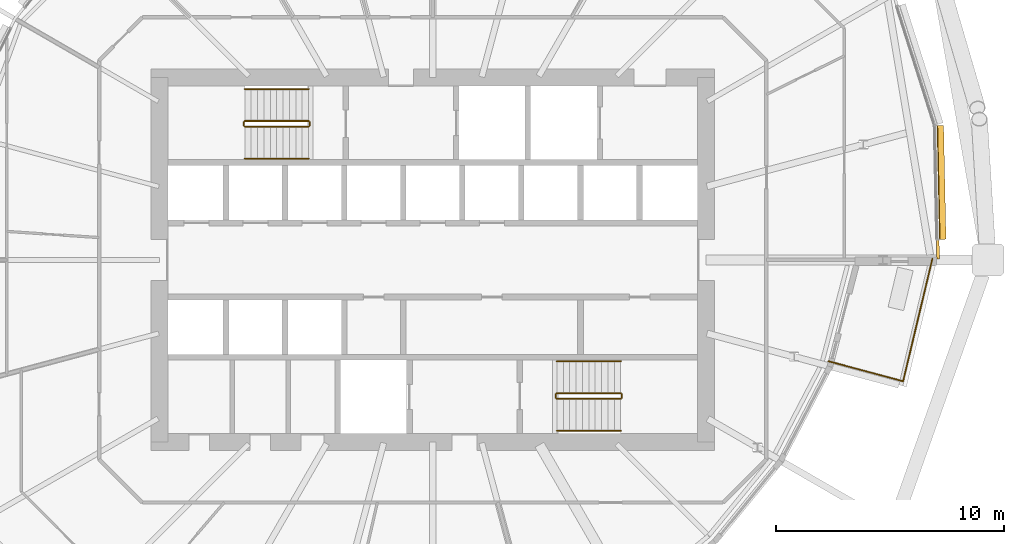
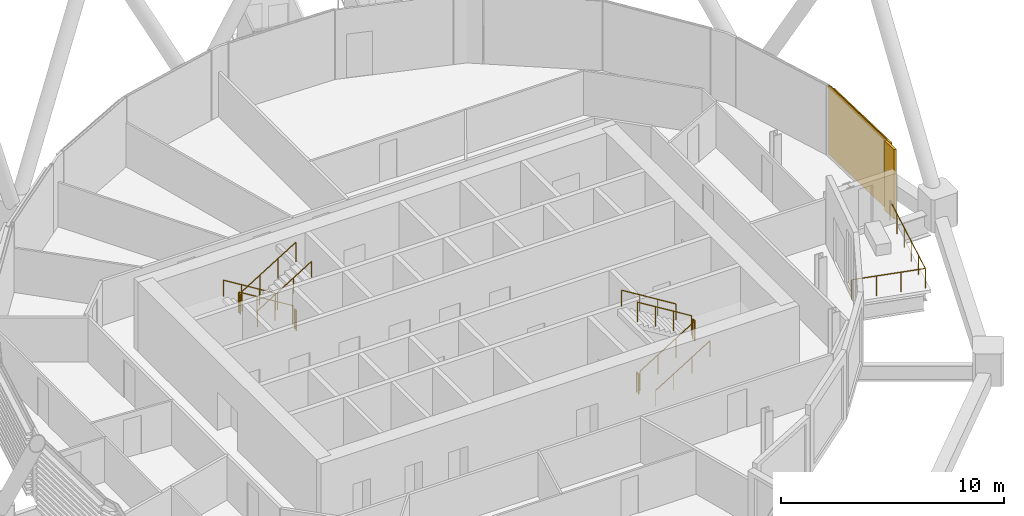
# One storey, part 36 of 38: 13 railings, 2 coverings.
"""IFC4 building model written with IfcOpenShell, lengths in metres."""

from ifc_helpers import new_model, si_unit, direction, frame, origin, origin_2d, place, context, subcontext, project, spatial, polyline, circle, outline, extrude, material, layer, layer_set, material_profile, profile_set, type_object, element, save


model = new_model("IFC4")

# Units and contexts
model_context = context("Model", 3, precision=1e-05, world=origin(), true_north=direction((0.0, 1.0)))
body_context = subcontext(model_context, "Body", "Model", "MODEL_VIEW")
ifc_project = project(units=[si_unit("LENGTHUNIT", "METRE"), si_unit("AREAUNIT", "SQUARE_METRE"), si_unit("VOLUMEUNIT", "CUBIC_METRE"), si_unit("PLANEANGLEUNIT", "RADIAN"), si_unit("MASSUNIT", "GRAM", prefix="KILO")], contexts=[model_context])

# Site, building, storey
site_placement = place(None, origin())
site = spatial("IfcSite", under=ifc_project, at=site_placement, CompositionType="ELEMENT")
building_placement = place(site_placement, origin())
building = spatial("IfcBuilding", under=site, at=building_placement, Name="Rimbun Link Towers", CompositionType="ELEMENT")
storey_placement = place(building_placement, frame((0.0, 0.0, 93.0)))
storey = spatial("IfcBuildingStorey", under=building, at=storey_placement, Name="L22", CompositionType="ELEMENT", Elevation=93.0)

# Railing
ifc_material_1 = material(Name="Stainless steel grade 316", Category="steel")
railing_type_1 = type_object("IfcRailingType", Name="GUARD stainless rail and posts", PredefinedType="GUARDRAIL", material=ifc_material_1)
railing_1_placement = place(storey_placement, frame((49.120849609375, -4.447509765625, 0.0)))
element("IfcRailing", 1, at=railing_1_placement, inside=storey, type_object=railing_type_1, Name="GUARD", PredefinedType="GUARDRAIL", context=body_context, shape_type="SweptSolid", body=[
    extrude(circle(Radius=0.02392578125, at=origin_2d()), frame((0.0, 0.0, 1.076171875), z_axis=(0.965935852711, -0.258781623087, 0.0), x_axis=(0.258781623087, 0.965935852711, 0.0)), (0.0, 0.0, 1.0), 3.39453125),
    extrude(circle(Radius=0.02392578125, at=origin_2d()), frame((3.27880859375, -0.87841796875, 1.076171875), z_axis=(0.232602294996, 0.972571936857, 0.0), x_axis=(-0.972571936857, 0.232602294996, 0.0)), (0.0, 0.0, 1.0), 5.524169921875),
    extrude(circle(Radius=0.02099609375, at=origin_2d()), origin(), (0.0, 0.0, 1.0), 1.052001953125),
    extrude(circle(Radius=0.02099609375, at=origin_2d()), frame((1.093017578125, -0.292724609375, 0.0)), (0.0, 0.0, 1.0), 1.052001953125),
    extrude(circle(Radius=0.02099609375, at=origin_2d()), frame((2.185791015625, -0.585693359375, 0.0)), (0.0, 0.0, 1.0), 1.052001953125),
    extrude(circle(Radius=0.02099609375, at=origin_2d()), frame((3.27880859375, -0.87841796875, 0.0)), (0.0, 0.0, 1.0), 1.052001953125),
    extrude(circle(Radius=0.02099609375, at=origin_2d()), frame((3.535888671875, 0.196044921875, 0.0)), (0.0, 0.0, 1.0), 1.052001953125),
    extrude(circle(Radius=0.02099609375, at=origin_2d()), frame((3.792724609375, 1.2705078125, 0.0)), (0.0, 0.0, 1.0), 1.052001953125),
    extrude(circle(Radius=0.02099609375, at=origin_2d()), frame((4.0498046875, 2.34521484375, 0.0)), (0.0, 0.0, 1.0), 1.052001953125),
    extrude(circle(Radius=0.02099609375, at=origin_2d()), frame((4.306640625, 3.419677734375, 0.0)), (0.0, 0.0, 1.0), 1.052001953125),
    extrude(circle(Radius=0.02099609375, at=origin_2d()), frame((4.563720703125, 4.494140625, 0.0)), (0.0, 0.0, 1.0), 1.052001953125),
])

# Covering
ifc_material_2 = material(Name="Terracotta", Category="masonry")
ifc_layer = layer(ifc_material_2, 0.1201171875)
ifc_layer_set = layer_set([ifc_layer], Name="LINK PIER terracotta cladding 120")
covering_type_1 = type_object("IfcCoveringType", Name="LINK PIER terracotta cladding 120", PredefinedType="CLADDING", material=ifc_layer_set)
covering_1_placement = place(storey_placement, origin())
element("IfcCovering", 2, at=covering_1_placement, inside=storey, type_object=covering_type_1, Name="LINK PIER cladding", PredefinedType="CLADDING", context=body_context, shape_type="SweptSolid", body=[
    extrude(outline(polyline([(53.860595703125, 0.869873046875), (53.87841796875, 0.030029296875), (53.998291015625, 0.032470703125), (53.980712890625, 0.872314453125), (53.860595703125, 0.869873046875)])), origin(), (0.0, 0.0, 1.0), 3.800048828125),
])

# Railings
ifc_material_3 = material(Name="Stainless steel grade 316", Category="steel")
railing_type_2 = type_object("IfcRailingType", Name="Stair guard", PredefinedType="GUARDRAIL", material=ifc_material_3)
railing_2_placement = place(storey_placement, frame((26.300048828125, 6.10009765625, 0.172607421875)))
element("IfcRailing", 3, at=railing_2_placement, inside=storey, type_object=railing_type_2, Name="L22 ST3 stair guard 1", PredefinedType="GUARDRAIL", context=body_context, shape_type="SweptSolid", body=[
    extrude(circle(Radius=0.02392578125, at=origin_2d()), frame((0.0, 0.0, 1.076171875), z_axis=(-0.851089632645, 0.0, 0.525020415988), x_axis=(0.0, -1.0, 0.0)), (0.0, 0.0, 1.0), 3.2900390625),
    extrude(circle(Radius=0.02099609375, at=origin_2d()), origin(), (0.0, 0.0, 1.0), 1.052001953125),
    extrude(circle(Radius=0.02099609375, at=origin_2d()), frame((-0.933349609375, 0.0, 0.57568359375)), (0.0, 0.0, 1.0), 1.052001953125),
    extrude(circle(Radius=0.02099609375, at=origin_2d()), frame((-1.86669921875, 0.0, 1.151611328125)), (0.0, 0.0, 1.0), 1.052001953125),
    extrude(circle(Radius=0.02099609375, at=origin_2d()), frame((-2.800048828125, 0.0, 1.727294921875)), (0.0, 0.0, 1.0), 1.052001953125),
])
railing_3_placement = place(storey_placement, frame((23.449951171875, 6.050048828125, 1.89990234375)))
element("IfcRailing", 4, at=railing_3_placement, inside=storey, type_object=railing_type_2, Name="L22 ST3 stair guard 2", PredefinedType="GUARDRAIL", context=body_context, shape_type="SweptSolid", body=[
    extrude(circle(Radius=0.02392578125, at=origin_2d()), frame((0.0, 0.0, 1.076171875), z_axis=(0.0, -1.0, 0.0), x_axis=(1.0, 0.0, 0.0)), (0.0, 0.0, 1.0), 0.150146484375),
    extrude(circle(Radius=0.02099609375, at=origin_2d()), origin(), (0.0, 0.0, 1.0), 1.052001953125),
    extrude(circle(Radius=0.02099609375, at=origin_2d()), frame((0.0, -0.150146484375, 0.0)), (0.0, 0.0, 1.0), 1.052001953125),
])
railing_4_placement = place(storey_placement, frame((23.5, 5.85009765625, 2.07275390625)))
element("IfcRailing", 5, at=railing_4_placement, inside=storey, type_object=railing_type_2, Name="L22 ST3 stair guard 3", PredefinedType="GUARDRAIL", context=body_context, shape_type="SweptSolid", body=[
    extrude(circle(Radius=0.02392578125, at=origin_2d()), frame((0.0, 0.0, 1.076171875), z_axis=(0.851089632645, 0.0, 0.525020415988), x_axis=(0.0, 1.0, 0.0)), (0.0, 0.0, 1.0), 3.2900390625),
    extrude(circle(Radius=0.02099609375, at=origin_2d()), origin(), (0.0, 0.0, 1.0), 1.052001953125),
    extrude(circle(Radius=0.02099609375, at=origin_2d()), frame((0.933349609375, 0.0, 0.57568359375)), (0.0, 0.0, 1.0), 1.052001953125),
    extrude(circle(Radius=0.02099609375, at=origin_2d()), frame((1.86669921875, 0.0, 1.151611328125)), (0.0, 0.0, 1.0), 1.052001953125),
    extrude(circle(Radius=0.02099609375, at=origin_2d()), frame((2.800048828125, 0.0, 1.727294921875)), (0.0, 0.0, 1.0), 1.052001953125),
])
railing_5_placement = place(storey_placement, frame((26.35009765625, 6.050048828125, 0.0)))
element("IfcRailing", 6, at=railing_5_placement, inside=storey, type_object=railing_type_2, Name="L22 ST3 stair guard 4", PredefinedType="GUARDRAIL", context=body_context, shape_type="SweptSolid", body=[
    extrude(circle(Radius=0.02392578125, at=origin_2d()), frame((0.0, 0.0, 1.076171875), z_axis=(0.0, -1.0, 0.0), x_axis=(1.0, 0.0, 0.0)), (0.0, 0.0, 1.0), 0.150146484375),
    extrude(circle(Radius=0.02099609375, at=origin_2d()), origin(), (0.0, 0.0, 1.0), 1.052001953125),
    extrude(circle(Radius=0.02099609375, at=origin_2d()), frame((0.0, -0.150146484375, 0.0)), (0.0, 0.0, 1.0), 1.052001953125),
])
railing_6_placement = place(storey_placement, frame((37.199951171875, -6.10009765625, 0.172607421875)))
element("IfcRailing", 7, at=railing_6_placement, inside=storey, type_object=railing_type_2, Name="L22 ST4 stair guard 1", PredefinedType="GUARDRAIL", context=body_context, shape_type="SweptSolid", body=[
    extrude(circle(Radius=0.02392578125, at=origin_2d()), frame((0.0, 0.0, 1.076171875), z_axis=(0.851089632645, 0.0, 0.525020415988), x_axis=(0.0, 1.0, 0.0)), (0.0, 0.0, 1.0), 3.2900390625),
    extrude(circle(Radius=0.02099609375, at=origin_2d()), origin(), (0.0, 0.0, 1.0), 1.052001953125),
    extrude(circle(Radius=0.02099609375, at=origin_2d()), frame((0.933349609375, 0.0, 0.57568359375)), (0.0, 0.0, 1.0), 1.052001953125),
    extrude(circle(Radius=0.02099609375, at=origin_2d()), frame((1.86669921875, 0.0, 1.151611328125)), (0.0, 0.0, 1.0), 1.052001953125),
    extrude(circle(Radius=0.02099609375, at=origin_2d()), frame((2.800048828125, 0.0, 1.727294921875)), (0.0, 0.0, 1.0), 1.052001953125),
])
railing_7_placement = place(storey_placement, frame((40.050048828125, -6.050048828125, 1.89990234375)))
element("IfcRailing", 8, at=railing_7_placement, inside=storey, type_object=railing_type_2, Name="L22 ST4 stair guard 2", PredefinedType="GUARDRAIL", context=body_context, shape_type="SweptSolid", body=[
    extrude(circle(Radius=0.02392578125, at=origin_2d()), frame((0.0, 0.0, 1.076171875), z_axis=(0.0, 1.0, 0.0), x_axis=(-1.0, 0.0, 0.0)), (0.0, 0.0, 1.0), 0.150146484375),
    extrude(circle(Radius=0.02099609375, at=origin_2d()), origin(), (0.0, 0.0, 1.0), 1.052001953125),
    extrude(circle(Radius=0.02099609375, at=origin_2d()), frame((0.0, 0.150146484375, 0.0)), (0.0, 0.0, 1.0), 1.052001953125),
])
railing_8_placement = place(storey_placement, frame((40.0, -5.85009765625, 2.07275390625)))
element("IfcRailing", 9, at=railing_8_placement, inside=storey, type_object=railing_type_2, Name="L22 ST4 stair guard 3", PredefinedType="GUARDRAIL", context=body_context, shape_type="SweptSolid", body=[
    extrude(circle(Radius=0.02392578125, at=origin_2d()), frame((0.0, 0.0, 1.076171875), z_axis=(-0.851089632645, 0.0, 0.525020415988), x_axis=(0.0, -1.0, 0.0)), (0.0, 0.0, 1.0), 3.2900390625),
    extrude(circle(Radius=0.02099609375, at=origin_2d()), origin(), (0.0, 0.0, 1.0), 1.052001953125),
    extrude(circle(Radius=0.02099609375, at=origin_2d()), frame((-0.933349609375, 0.0, 0.57568359375)), (0.0, 0.0, 1.0), 1.052001953125),
    extrude(circle(Radius=0.02099609375, at=origin_2d()), frame((-1.86669921875, 0.0, 1.151611328125)), (0.0, 0.0, 1.0), 1.052001953125),
    extrude(circle(Radius=0.02099609375, at=origin_2d()), frame((-2.800048828125, 0.0, 1.727294921875)), (0.0, 0.0, 1.0), 1.052001953125),
])
railing_9_placement = place(storey_placement, frame((37.14990234375, -6.050048828125, 0.0)))
element("IfcRailing", 10, at=railing_9_placement, inside=storey, type_object=railing_type_2, Name="L22 ST4 stair guard 4", PredefinedType="GUARDRAIL", context=body_context, shape_type="SweptSolid", body=[
    extrude(circle(Radius=0.02392578125, at=origin_2d()), frame((0.0, 0.0, 1.076171875), z_axis=(0.0, 1.0, 0.0), x_axis=(-1.0, 0.0, 0.0)), (0.0, 0.0, 1.0), 0.150146484375),
    extrude(circle(Radius=0.02099609375, at=origin_2d()), origin(), (0.0, 0.0, 1.0), 1.052001953125),
    extrude(circle(Radius=0.02099609375, at=origin_2d()), frame((0.0, 0.150146484375, 0.0)), (0.0, 0.0, 1.0), 1.052001953125),
])
ifc_material_4 = material(Name="Stainless steel grade 316", Category="steel")
railing_type_3 = type_object("IfcRailingType", Name="Stair handrail", PredefinedType="HANDRAIL", material=ifc_material_4)
railing_10_placement = place(storey_placement, frame((26.300048828125, 7.5, 0.172607421875)))
element("IfcRailing", 11, at=railing_10_placement, inside=storey, type_object=railing_type_3, Name="L22 ST3 stair handrail 1", PredefinedType="HANDRAIL", context=body_context, shape_type="SweptSolid", body=[
    extrude(circle(Radius=0.02392578125, at=origin_2d()), frame((0.0, 0.0, 0.8759765625), z_axis=(-0.851089632645, 0.0, 0.525020415988), x_axis=(0.0, -1.0, 0.0)), (0.0, 0.0, 1.0), 3.2900390625),
    extrude(circle(Radius=0.02099609375, at=origin_2d()), origin(), (0.0, 0.0, 1.0), 0.851806640625),
    extrude(circle(Radius=0.02099609375, at=origin_2d()), frame((-0.933349609375, 0.0, 0.57568359375)), (0.0, 0.0, 1.0), 0.851806640625),
    extrude(circle(Radius=0.02099609375, at=origin_2d()), frame((-1.86669921875, 0.0, 1.151611328125)), (0.0, 0.0, 1.0), 0.851806640625),
    extrude(circle(Radius=0.02099609375, at=origin_2d()), frame((-2.800048828125, 0.0, 1.727294921875)), (0.0, 0.0, 1.0), 0.851806640625),
])
for number, where, name in (
    (12, (23.5, 4.449951171875, 2.07275390625), "L22 ST3 stair handrail 2"),
    (13, (37.199951171875, -7.5, 0.172607421875), "L22 ST4 stair handrail 1"),
):
    element("IfcRailing", number, at=place(storey_placement, frame(where)), inside=storey, type_object=railing_type_3, Name=name, PredefinedType="HANDRAIL", context=body_context, shape_type="SweptSolid", body=[
        extrude(circle(Radius=0.02392578125, at=origin_2d()), frame((0.0, 0.0, 0.8759765625), z_axis=(0.851089632645, 0.0, 0.525020415988), x_axis=(0.0, 1.0, 0.0)), (0.0, 0.0, 1.0), 3.2900390625),
        extrude(circle(Radius=0.02099609375, at=origin_2d()), origin(), (0.0, 0.0, 1.0), 0.851806640625),
        extrude(circle(Radius=0.02099609375, at=origin_2d()), frame((0.933349609375, 0.0, 0.57568359375)), (0.0, 0.0, 1.0), 0.851806640625),
        extrude(circle(Radius=0.02099609375, at=origin_2d()), frame((1.86669921875, 0.0, 1.151611328125)), (0.0, 0.0, 1.0), 0.851806640625),
        extrude(circle(Radius=0.02099609375, at=origin_2d()), frame((2.800048828125, 0.0, 1.727294921875)), (0.0, 0.0, 1.0), 0.851806640625),
    ])
railing_11_placement = place(storey_placement, frame((40.0, -4.449951171875, 2.07275390625)))
element("IfcRailing", 14, at=railing_11_placement, inside=storey, type_object=railing_type_3, Name="L22 ST4 stair handrail 2", PredefinedType="HANDRAIL", context=body_context, shape_type="SweptSolid", body=[
    extrude(circle(Radius=0.02392578125, at=origin_2d()), frame((0.0, 0.0, 0.8759765625), z_axis=(-0.851089632645, 0.0, 0.525020415988), x_axis=(0.0, -1.0, 0.0)), (0.0, 0.0, 1.0), 3.2900390625),
    extrude(circle(Radius=0.02099609375, at=origin_2d()), origin(), (0.0, 0.0, 1.0), 0.851806640625),
    extrude(circle(Radius=0.02099609375, at=origin_2d()), frame((-0.933349609375, 0.0, 0.57568359375)), (0.0, 0.0, 1.0), 0.851806640625),
    extrude(circle(Radius=0.02099609375, at=origin_2d()), frame((-1.86669921875, 0.0, 1.151611328125)), (0.0, 0.0, 1.0), 0.851806640625),
    extrude(circle(Radius=0.02099609375, at=origin_2d()), frame((-2.800048828125, 0.0, 1.727294921875)), (0.0, 0.0, 1.0), 0.851806640625),
])

# Covering
ifc_material_5 = material(Name="Terracotta", Category="masonry")
ifc_material_profile = material_profile(ifc_material_5, outline(polyline([(0.123046875, 0.0), (0.1630859375, 0.0), (0.1630859375, 0.10009765625), (0.423095703125, 0.10009765625), (0.423095703125, 0.219970703125), (0.1630859375, 0.219970703125), (0.1630859375, 0.39990234375), (0.423095703125, 0.39990234375), (0.423095703125, 0.52001953125), (0.1630859375, 0.52001953125), (0.1630859375, 0.699951171875), (0.423095703125, 0.699951171875), (0.423095703125, 0.820068359375), (0.1630859375, 0.820068359375), (0.1630859375, 1.0), (0.423095703125, 1.0), (0.423095703125, 1.1201171875), (0.1630859375, 1.1201171875), (0.1630859375, 1.300048828125), (0.423095703125, 1.300048828125), (0.423095703125, 1.419921875), (0.1630859375, 1.419921875), (0.1630859375, 1.60009765625), (0.423095703125, 1.60009765625), (0.423095703125, 1.719970703125), (0.1630859375, 1.719970703125), (0.1630859375, 1.89990234375), (0.423095703125, 1.89990234375), (0.423095703125, 2.02001953125), (0.1630859375, 2.02001953125), (0.1630859375, 2.199951171875), (0.423095703125, 2.199951171875), (0.423095703125, 2.320068359375), (0.1630859375, 2.320068359375), (0.1630859375, 2.5), (0.423095703125, 2.5), (0.423095703125, 2.6201171875), (0.1630859375, 2.6201171875), (0.1630859375, 2.800048828125), (0.423095703125, 2.800048828125), (0.423095703125, 2.919921875), (0.1630859375, 2.919921875), (0.1630859375, 3.10009765625), (0.423095703125, 3.10009765625), (0.423095703125, 3.219970703125), (0.1630859375, 3.219970703125), (0.1630859375, 3.39990234375), (0.423095703125, 3.39990234375), (0.423095703125, 3.52001953125), (0.1630859375, 3.52001953125), (0.1630859375, 3.800048828125), (0.123046875, 3.800048828125), (0.123046875, 0.0)])), Name="BAGUETTE 120X300")
ifc_profile_set = profile_set([ifc_material_profile], Name="Terracotta")
covering_type_2 = type_object("IfcCoveringType", Name="TERRACOTTA BAGUETTE 120X300 H3800", PredefinedType="CLADDING", material=ifc_profile_set)
covering_2_placement = place(storey_placement, frame((53.7548828125, 5.896240234375, 0.0), z_axis=(0.021055677953, -0.999778304639, 0.0), x_axis=(0.999778304639, 0.021055677953, 0.0)))
element("IfcCovering", 15, at=covering_2_placement, inside=storey, type_object=covering_type_2, Name="TERRACOTTA BAGUETTE", PredefinedType="CLADDING", context=body_context, shape_type="SweptSolid", body=[
    extrude(outline(polyline([(0.123046875, 0.0), (0.1630859375, 0.0), (0.1630859375, 0.10009765625), (0.423095703125, 0.10009765625), (0.423095703125, 0.219970703125), (0.1630859375, 0.219970703125), (0.1630859375, 0.39990234375), (0.423095703125, 0.39990234375), (0.423095703125, 0.52001953125), (0.1630859375, 0.52001953125), (0.1630859375, 0.699951171875), (0.423095703125, 0.699951171875), (0.423095703125, 0.820068359375), (0.1630859375, 0.820068359375), (0.1630859375, 1.0), (0.423095703125, 1.0), (0.423095703125, 1.1201171875), (0.1630859375, 1.1201171875), (0.1630859375, 1.300048828125), (0.423095703125, 1.300048828125), (0.423095703125, 1.419921875), (0.1630859375, 1.419921875), (0.1630859375, 1.60009765625), (0.423095703125, 1.60009765625), (0.423095703125, 1.719970703125), (0.1630859375, 1.719970703125), (0.1630859375, 1.89990234375), (0.423095703125, 1.89990234375), (0.423095703125, 2.02001953125), (0.1630859375, 2.02001953125), (0.1630859375, 2.199951171875), (0.423095703125, 2.199951171875), (0.423095703125, 2.320068359375), (0.1630859375, 2.320068359375), (0.1630859375, 2.5), (0.423095703125, 2.5), (0.423095703125, 2.6201171875), (0.1630859375, 2.6201171875), (0.1630859375, 2.800048828125), (0.423095703125, 2.800048828125), (0.423095703125, 2.919921875), (0.1630859375, 2.919921875), (0.1630859375, 3.10009765625), (0.423095703125, 3.10009765625), (0.423095703125, 3.219970703125), (0.1630859375, 3.219970703125), (0.1630859375, 3.39990234375), (0.423095703125, 3.39990234375), (0.423095703125, 3.52001953125), (0.1630859375, 3.52001953125), (0.1630859375, 3.800048828125), (0.123046875, 3.800048828125), (0.123046875, 0.0)])), origin(), (0.0, 0.0, 1.0), 4.99755859375),
])

save(model, "model.ifc")
